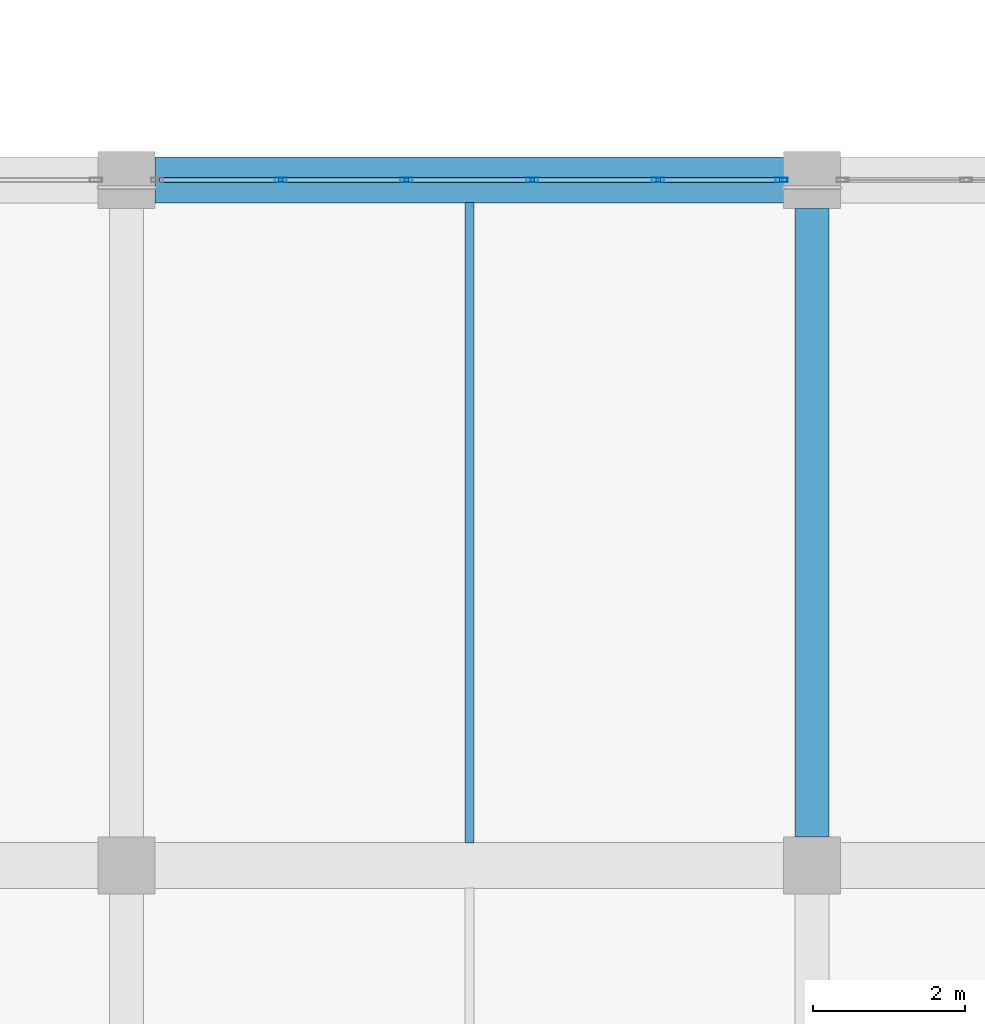
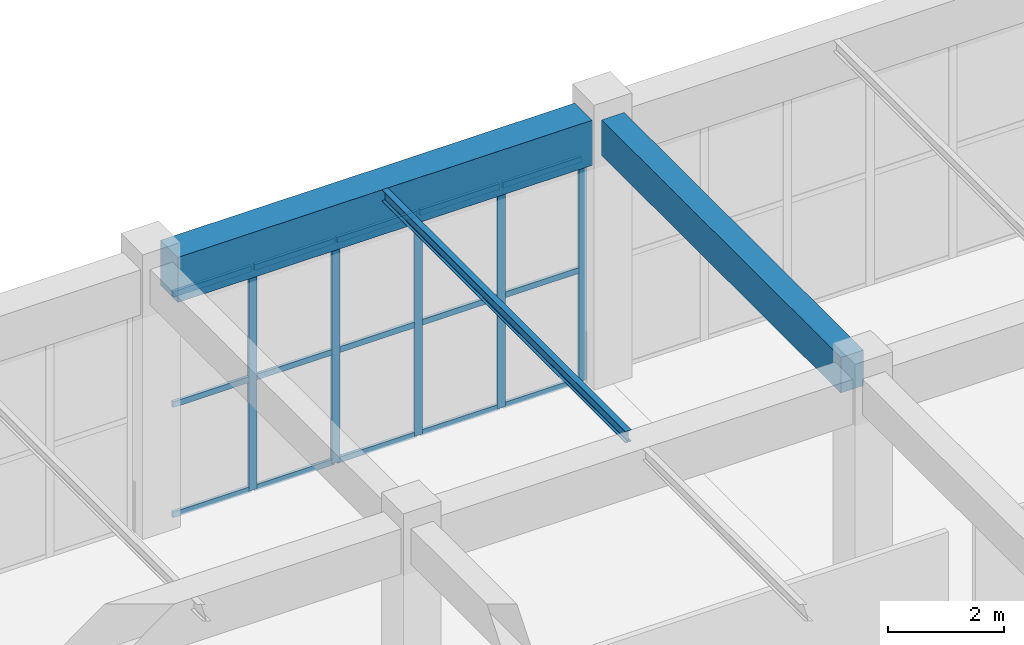
# One storey, part 75 of 223: 20 members, 3 beams, 1 element without a shape of its own.
"""IFC4 building model written with IfcOpenShell, lengths in metres."""

from ifc_helpers import new_model, si_unit, direction, frame, origin, origin_2d, place, context, subcontext, project, spatial, rectangle, hollow_rectangle, i_section, extrude, material, layer, layer_set, material_profile, profile_set, type_object, element, aggregate, save


model = new_model("IFC4")

# Units and contexts
model_context = context("Model", 3, precision=1e-05, world=origin(), true_north=direction((0.0, 1.0)))
body_context = subcontext(model_context, "Body", "Model", "MODEL_VIEW")
ifc_project = project(units=[si_unit("LENGTHUNIT", "METRE"), si_unit("AREAUNIT", "SQUARE_METRE"), si_unit("VOLUMEUNIT", "CUBIC_METRE"), si_unit("PLANEANGLEUNIT", "RADIAN"), si_unit("MASSUNIT", "GRAM", prefix="KILO")], contexts=[model_context])

# Site, building, storey
site_placement = place(None, origin())
site = spatial("IfcSite", under=ifc_project, at=site_placement, CompositionType="ELEMENT")
building_placement = place(site_placement, origin())
building = spatial("IfcBuilding", under=site, at=building_placement, Name="Dornveld Trade and Exhibition Forum", CompositionType="ELEMENT")
storey_placement = place(building_placement, frame((0.0, 0.0, 6.0)))
storey = spatial("IfcBuildingStorey", under=building, at=storey_placement, Name="L01", CompositionType="ELEMENT", Elevation=6.0)

# Beams
ifc_material_1 = material(Name="Steel S355J2", Category="steel")
ifc_material_profile_1 = material_profile(ifc_material_1, i_section(OverallWidth=0.1201171875, OverallDepth=0.239990234375, WebThickness=0.006103515625, FlangeThickness=0.009765625, FilletRadius=0.014892578125, at=origin_2d()), Name="IPE 240")
ifc_profile_set_1 = profile_set([ifc_material_profile_1], Name="Steel S355J2")
beam_type_1 = type_object("IfcBeamType", Name="BM-JOIST-240", PredefinedType="JOIST", material=ifc_profile_set_1)
beam_1_placement = place(storey_placement, frame((211.5, 45.297119140625, 5.52001953125), z_axis=(0.0, 1.0, 0.0), x_axis=(-1.0, 0.0, 0.0)))
element("IfcBeam", 1, at=beam_1_placement, inside=storey, type_object=beam_type_1, Name="L01 secondary joist 1327", PredefinedType="JOIST", context=body_context, shape_type="SweptSolid", body=[
    extrude(i_section(OverallWidth=0.1201171875, OverallDepth=0.239990234375, WebThickness=0.006103515625, FlangeThickness=0.009765625, FilletRadius=0.014892578125, at=origin_2d()), origin(), (0.0, 0.0, 1.0), 8.40576171875),
])
ifc_material_2 = material(Name="Precast concrete C50/60", Category="concrete")
ifc_material_profile_2 = material_profile(ifc_material_2, rectangle(XDim=0.449951171875, YDim=0.75, at=origin_2d()), Name="PC-BM 450x750")
ifc_profile_set_2 = profile_set([ifc_material_profile_2], Name="Precast concrete C50/60")
beam_type_2 = type_object("IfcBeamType", Name="BM-PC-450x750", PredefinedType="BEAM", material=ifc_profile_set_2)
beam_2_placement = place(storey_placement, frame((216.0, 45.37109375, 5.264892578125), z_axis=(0.0, 1.0, 0.0), x_axis=(-1.0, 0.0, 0.0)))
element("IfcBeam", 2, at=beam_2_placement, inside=storey, type_object=beam_type_2, Name="L01 Y-girder 1312", PredefinedType="BEAM", context=body_context, shape_type="SweptSolid", body=[
    extrude(rectangle(XDim=0.449951171875, YDim=0.75, at=origin_2d()), origin(), (0.0, 0.0, 1.0), 8.2578125),
])
ifc_material_3 = material(Name="Precast concrete C50/60", Category="concrete")
ifc_material_profile_3 = material_profile(ifc_material_3, rectangle(XDim=0.60009765625, YDim=0.949951171875, at=origin_2d()), Name="PC-GIR 600x950")
ifc_profile_set_3 = profile_set([ifc_material_profile_3], Name="Precast concrete C50/60")
beam_type_3 = type_object("IfcBeamType", Name="BM-PC-600x950", PredefinedType="T_BEAM", material=ifc_profile_set_3)
beam_3_placement = place(storey_placement, frame((207.37109375, 54.0, 5.1650390625), z_axis=(1.0, 0.0, 0.0), x_axis=(0.0, 1.0, 0.0)))
element("IfcBeam", 3, at=beam_3_placement, inside=storey, type_object=beam_type_3, Name="L01 X-girder 1293", PredefinedType="T_BEAM", context=body_context, shape_type="SweptSolid", body=[
    extrude(rectangle(XDim=0.60009765625, YDim=0.949951171875, at=origin_2d()), origin(), (0.0, 0.0, 1.0), 8.2578125),
])

# Curtain wall, members
ifc_material_4 = material(Name="Dark-bronze anodised aluminium and low-E glass", Category="aluminium")
ifc_layer = layer(ifc_material_4, 0.18994140625)
ifc_layer_set = layer_set([ifc_layer], Name="Dark-bronze anodised aluminium and low-E glass")
curtain_wall_type = type_object("IfcCurtainWallType", Name="CW-SYS-16", PredefinedType="USERDEFINED", material=ifc_layer_set)
curtain_wall_placement = place(storey_placement, origin())
curtain_wall = element("IfcCurtainWall", 4, at=curtain_wall_placement, inside=storey, type_object=curtain_wall_type, Name="L01 unitised curtain wall 88", ObjectType="UNITISED_CURTAIN_WALL", PredefinedType="USERDEFINED")
ifc_material_5 = material(Name="Dark-bronze anodised aluminium", Category="aluminium")
ifc_material_profile_4 = material_profile(ifc_material_5, hollow_rectangle(XDim=0.06005859375, YDim=0.159912109375, WallThickness=0.00390625, at=origin_2d()), Name="RHS 160x60x4")
ifc_profile_set_4 = profile_set([ifc_material_profile_4], Name="Dark-bronze anodised aluminium")
member_type_1 = type_object("IfcMemberType", Name="CW-MUL-160", PredefinedType="MULLION", material=ifc_profile_set_4)
member_1_placement = place(storey_placement, frame((215.59912109375, 54.0, -0.00390625), z_axis=(0.0, 0.0, 1.0), x_axis=(0.0, -1.0, 0.0)))
member_1 = element("IfcMember", 5, at=member_1_placement, type_object=member_type_1, Name="CW-16 mullion 1", PredefinedType="MULLION", context=body_context, shape_type="SweptSolid", body=[
    extrude(hollow_rectangle(XDim=0.06005859375, YDim=0.159912109375, WallThickness=0.00390625, at=origin_2d()), origin(), (0.0, 0.0, 1.0), 4.703857421875),
])
member_2_placement = place(storey_placement, frame((213.977294921875, 54.0, -0.00390625), z_axis=(0.0, 0.0, 1.0), x_axis=(0.0, -1.0, 0.0)))
member_2 = element("IfcMember", 6, at=member_2_placement, type_object=member_type_1, Name="CW-16 mullion 2", PredefinedType="MULLION", context=body_context, shape_type="SweptSolid", body=[
    extrude(hollow_rectangle(XDim=0.06005859375, YDim=0.159912109375, WallThickness=0.00390625, at=origin_2d()), origin(), (0.0, 0.0, 1.0), 4.703857421875),
])
member_3_placement = place(storey_placement, frame((212.32568359375, 54.0, -0.00390625), z_axis=(0.0, 0.0, 1.0), x_axis=(0.0, -1.0, 0.0)))
member_3 = element("IfcMember", 7, at=member_3_placement, type_object=member_type_1, Name="CW-16 mullion 3", PredefinedType="MULLION", context=body_context, shape_type="SweptSolid", body=[
    extrude(hollow_rectangle(XDim=0.06005859375, YDim=0.159912109375, WallThickness=0.00390625, at=origin_2d()), origin(), (0.0, 0.0, 1.0), 4.703857421875),
])
member_4_placement = place(storey_placement, frame((210.67431640625, 54.0, -0.00390625), z_axis=(0.0, 0.0, 1.0), x_axis=(0.0, -1.0, 0.0)))
member_4 = element("IfcMember", 8, at=member_4_placement, type_object=member_type_1, Name="CW-16 mullion 4", PredefinedType="MULLION", context=body_context, shape_type="SweptSolid", body=[
    extrude(hollow_rectangle(XDim=0.06005859375, YDim=0.159912109375, WallThickness=0.00390625, at=origin_2d()), origin(), (0.0, 0.0, 1.0), 4.703857421875),
])
member_5_placement = place(storey_placement, frame((209.022705078125, 54.0, -0.00390625), z_axis=(0.0, 0.0, 1.0), x_axis=(0.0, -1.0, 0.0)))
member_5 = element("IfcMember", 9, at=member_5_placement, type_object=member_type_1, Name="CW-16 mullion 5", PredefinedType="MULLION", context=body_context, shape_type="SweptSolid", body=[
    extrude(hollow_rectangle(XDim=0.06005859375, YDim=0.159912109375, WallThickness=0.00390625, at=origin_2d()), origin(), (0.0, 0.0, 1.0), 4.703857421875),
])
ifc_material_6 = material(Name="Dark-bronze anodised aluminium", Category="aluminium")
ifc_material_profile_5 = material_profile(ifc_material_6, hollow_rectangle(XDim=0.06005859375, YDim=0.1201171875, WallThickness=0.00390625, at=origin_2d()), Name="RHS 120x60x4")
ifc_profile_set_5 = profile_set([ifc_material_profile_5], Name="Dark-bronze anodised aluminium")
member_type_2 = type_object("IfcMemberType", Name="CW-TRN-120", PredefinedType="USERDEFINED", material=ifc_profile_set_5)
member_6_placement = place(storey_placement, frame((215.569091796875, 54.0, 0.02587890625), z_axis=(-1.0, 0.0, 0.0), x_axis=(0.0, -1.0, 0.0)))
member_6 = element("IfcMember", 10, at=member_6_placement, type_object=member_type_2, Name="CW-16 transom 1.1", ObjectType="TRANSOM", PredefinedType="USERDEFINED", context=body_context, shape_type="SweptSolid", body=[
    extrude(hollow_rectangle(XDim=0.06005859375, YDim=0.1201171875, WallThickness=0.00390625, at=origin_2d()), origin(), (0.0, 0.0, 1.0), 1.561767578125),
])
member_7_placement = place(storey_placement, frame((215.569091796875, 54.0, 2.347900390625), z_axis=(-1.0, 0.0, 0.0), x_axis=(0.0, -1.0, 0.0)))
member_7 = element("IfcMember", 11, at=member_7_placement, type_object=member_type_2, Name="CW-16 transom 1.2", ObjectType="TRANSOM", PredefinedType="USERDEFINED", context=body_context, shape_type="SweptSolid", body=[
    extrude(hollow_rectangle(XDim=0.06005859375, YDim=0.1201171875, WallThickness=0.00390625, at=origin_2d()), origin(), (0.0, 0.0, 1.0), 1.561767578125),
])
member_8_placement = place(storey_placement, frame((215.569091796875, 54.0, 4.669921875), z_axis=(-1.0, 0.0, 0.0), x_axis=(0.0, -1.0, 0.0)))
member_8 = element("IfcMember", 12, at=member_8_placement, type_object=member_type_2, Name="CW-16 transom 1.3", ObjectType="TRANSOM", PredefinedType="USERDEFINED", context=body_context, shape_type="SweptSolid", body=[
    extrude(hollow_rectangle(XDim=0.06005859375, YDim=0.1201171875, WallThickness=0.00390625, at=origin_2d()), origin(), (0.0, 0.0, 1.0), 1.561767578125),
])
member_9_placement = place(storey_placement, frame((213.947509765625, 54.0, 0.02587890625), z_axis=(-1.0, 0.0, 0.0), x_axis=(0.0, -1.0, 0.0)))
member_9 = element("IfcMember", 13, at=member_9_placement, type_object=member_type_2, Name="CW-16 transom 2.1", ObjectType="TRANSOM", PredefinedType="USERDEFINED", context=body_context, shape_type="SweptSolid", body=[
    extrude(hollow_rectangle(XDim=0.06005859375, YDim=0.1201171875, WallThickness=0.00390625, at=origin_2d()), origin(), (0.0, 0.0, 1.0), 1.591796875),
])
member_10_placement = place(storey_placement, frame((213.947509765625, 54.0, 2.347900390625), z_axis=(-1.0, 0.0, 0.0), x_axis=(0.0, -1.0, 0.0)))
member_10 = element("IfcMember", 14, at=member_10_placement, type_object=member_type_2, Name="CW-16 transom 2.2", ObjectType="TRANSOM", PredefinedType="USERDEFINED", context=body_context, shape_type="SweptSolid", body=[
    extrude(hollow_rectangle(XDim=0.06005859375, YDim=0.1201171875, WallThickness=0.00390625, at=origin_2d()), origin(), (0.0, 0.0, 1.0), 1.591796875),
])
member_11_placement = place(storey_placement, frame((213.947509765625, 54.0, 4.669921875), z_axis=(-1.0, 0.0, 0.0), x_axis=(0.0, -1.0, 0.0)))
member_11 = element("IfcMember", 15, at=member_11_placement, type_object=member_type_2, Name="CW-16 transom 2.3", ObjectType="TRANSOM", PredefinedType="USERDEFINED", context=body_context, shape_type="SweptSolid", body=[
    extrude(hollow_rectangle(XDim=0.06005859375, YDim=0.1201171875, WallThickness=0.00390625, at=origin_2d()), origin(), (0.0, 0.0, 1.0), 1.591796875),
])
member_12_placement = place(storey_placement, frame((212.2958984375, 54.0, 0.02587890625), z_axis=(-1.0, 0.0, 0.0), x_axis=(0.0, -1.0, 0.0)))
member_12 = element("IfcMember", 16, at=member_12_placement, type_object=member_type_2, Name="CW-16 transom 3.1", ObjectType="TRANSOM", PredefinedType="USERDEFINED", context=body_context, shape_type="SweptSolid", body=[
    extrude(hollow_rectangle(XDim=0.06005859375, YDim=0.1201171875, WallThickness=0.00390625, at=origin_2d()), origin(), (0.0, 0.0, 1.0), 1.591796875),
])
member_13_placement = place(storey_placement, frame((212.2958984375, 54.0, 2.347900390625), z_axis=(-1.0, 0.0, 0.0), x_axis=(0.0, -1.0, 0.0)))
member_13 = element("IfcMember", 17, at=member_13_placement, type_object=member_type_2, Name="CW-16 transom 3.2", ObjectType="TRANSOM", PredefinedType="USERDEFINED", context=body_context, shape_type="SweptSolid", body=[
    extrude(hollow_rectangle(XDim=0.06005859375, YDim=0.1201171875, WallThickness=0.00390625, at=origin_2d()), origin(), (0.0, 0.0, 1.0), 1.591796875),
])
member_14_placement = place(storey_placement, frame((212.2958984375, 54.0, 4.669921875), z_axis=(-1.0, 0.0, 0.0), x_axis=(0.0, -1.0, 0.0)))
member_14 = element("IfcMember", 18, at=member_14_placement, type_object=member_type_2, Name="CW-16 transom 3.3", ObjectType="TRANSOM", PredefinedType="USERDEFINED", context=body_context, shape_type="SweptSolid", body=[
    extrude(hollow_rectangle(XDim=0.06005859375, YDim=0.1201171875, WallThickness=0.00390625, at=origin_2d()), origin(), (0.0, 0.0, 1.0), 1.591796875),
])
member_15_placement = place(storey_placement, frame((210.644287109375, 54.0, 0.02587890625), z_axis=(-1.0, 0.0, 0.0), x_axis=(0.0, -1.0, 0.0)))
member_15 = element("IfcMember", 19, at=member_15_placement, type_object=member_type_2, Name="CW-16 transom 4.1", ObjectType="TRANSOM", PredefinedType="USERDEFINED", context=body_context, shape_type="SweptSolid", body=[
    extrude(hollow_rectangle(XDim=0.06005859375, YDim=0.1201171875, WallThickness=0.00390625, at=origin_2d()), origin(), (0.0, 0.0, 1.0), 1.591796875),
])
member_16_placement = place(storey_placement, frame((210.644287109375, 54.0, 2.347900390625), z_axis=(-1.0, 0.0, 0.0), x_axis=(0.0, -1.0, 0.0)))
member_16 = element("IfcMember", 20, at=member_16_placement, type_object=member_type_2, Name="CW-16 transom 4.2", ObjectType="TRANSOM", PredefinedType="USERDEFINED", context=body_context, shape_type="SweptSolid", body=[
    extrude(hollow_rectangle(XDim=0.06005859375, YDim=0.1201171875, WallThickness=0.00390625, at=origin_2d()), origin(), (0.0, 0.0, 1.0), 1.591796875),
])
member_17_placement = place(storey_placement, frame((210.644287109375, 54.0, 4.669921875), z_axis=(-1.0, 0.0, 0.0), x_axis=(0.0, -1.0, 0.0)))
member_17 = element("IfcMember", 21, at=member_17_placement, type_object=member_type_2, Name="CW-16 transom 4.3", ObjectType="TRANSOM", PredefinedType="USERDEFINED", context=body_context, shape_type="SweptSolid", body=[
    extrude(hollow_rectangle(XDim=0.06005859375, YDim=0.1201171875, WallThickness=0.00390625, at=origin_2d()), origin(), (0.0, 0.0, 1.0), 1.591796875),
])
member_18_placement = place(storey_placement, frame((208.99267578125, 54.0, 0.02587890625), z_axis=(-1.0, 0.0, 0.0), x_axis=(0.0, -1.0, 0.0)))
member_18 = element("IfcMember", 22, at=member_18_placement, type_object=member_type_2, Name="CW-16 transom 5.1", ObjectType="TRANSOM", PredefinedType="USERDEFINED", context=body_context, shape_type="SweptSolid", body=[
    extrude(hollow_rectangle(XDim=0.06005859375, YDim=0.1201171875, WallThickness=0.00390625, at=origin_2d()), origin(), (0.0, 0.0, 1.0), 1.561767578125),
])
member_19_placement = place(storey_placement, frame((208.99267578125, 54.0, 2.347900390625), z_axis=(-1.0, 0.0, 0.0), x_axis=(0.0, -1.0, 0.0)))
member_19 = element("IfcMember", 23, at=member_19_placement, type_object=member_type_2, Name="CW-16 transom 5.2", ObjectType="TRANSOM", PredefinedType="USERDEFINED", context=body_context, shape_type="SweptSolid", body=[
    extrude(hollow_rectangle(XDim=0.06005859375, YDim=0.1201171875, WallThickness=0.00390625, at=origin_2d()), origin(), (0.0, 0.0, 1.0), 1.561767578125),
])
member_20_placement = place(storey_placement, frame((208.99267578125, 54.0, 4.669921875), z_axis=(-1.0, 0.0, 0.0), x_axis=(0.0, -1.0, 0.0)))
member_20 = element("IfcMember", 24, at=member_20_placement, type_object=member_type_2, Name="CW-16 transom 5.3", ObjectType="TRANSOM", PredefinedType="USERDEFINED", context=body_context, shape_type="SweptSolid", body=[
    extrude(hollow_rectangle(XDim=0.06005859375, YDim=0.1201171875, WallThickness=0.00390625, at=origin_2d()), origin(), (0.0, 0.0, 1.0), 1.561767578125),
])
aggregate(curtain_wall, [member_1, member_2, member_3, member_4, member_5, member_6, member_7, member_8, member_9, member_10, member_11, member_12, member_13, member_14, member_15, member_16, member_17, member_18, member_19, member_20])

save(model, "model.ifc")
